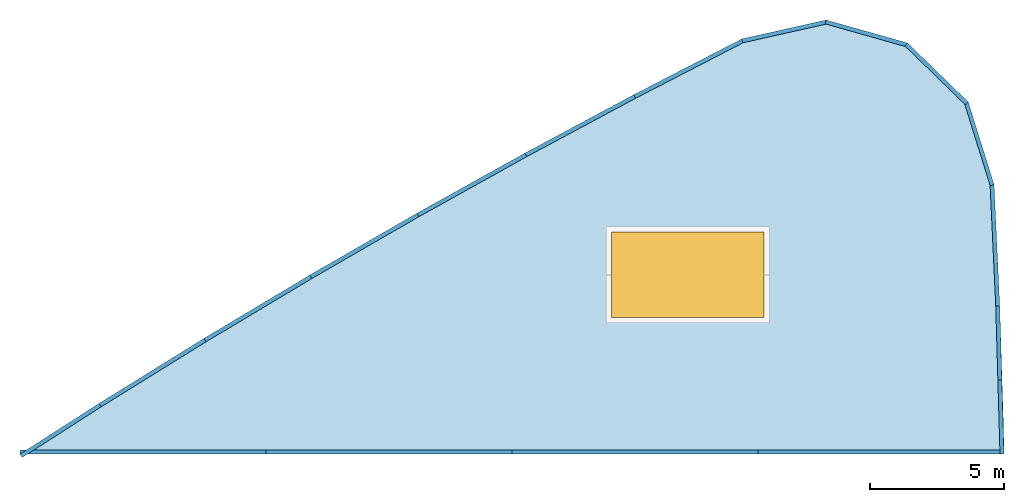
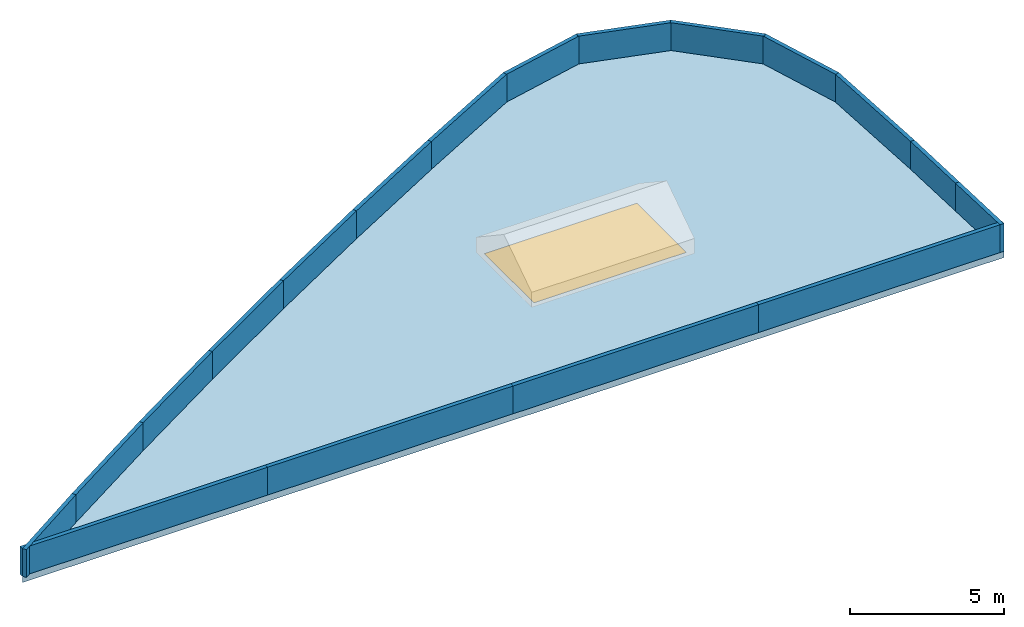
"""IFC4 building model written with IfcOpenShell, lengths in metres."""

from ifc_helpers import new_model, si_unit, direction, frame, frame_2d, origin, origin_2d, place, context, subcontext, project, spatial, polyline, rectangle, outline, extrude, material, layer, layer_set, type_object, element, fill, save


model = new_model("IFC4")

# Units and contexts
model_context = context("Model", 3, precision=1e-05, world=origin(), true_north=direction((0.0, 1.0)))
body_context = subcontext(model_context, "Body", "Model", "MODEL_VIEW")
ifc_project = project(units=[si_unit("LENGTHUNIT", "METRE"), si_unit("AREAUNIT", "SQUARE_METRE"), si_unit("VOLUMEUNIT", "CUBIC_METRE"), si_unit("PLANEANGLEUNIT", "RADIAN"), si_unit("MASSUNIT", "GRAM", prefix="KILO")], contexts=[model_context])

# Site, building, storey
site_placement = place(None, origin())
site = spatial("IfcSite", under=ifc_project, at=site_placement, CompositionType="ELEMENT")
building_placement = place(site_placement, origin())
building = spatial("IfcBuilding", under=site, at=building_placement, Name="Tamra Quay Hotel Tower", CompositionType="ELEMENT")
storey_1_placement = place(building_placement, frame((0.0, 0.0, 349.39990234375)))
storey_1 = spatial("IfcBuildingStorey", under=building, at=storey_1_placement, Name="Roof", CompositionType="ELEMENT", Elevation=349.39990234375)

# Slab, opening
ifc_material_1 = material(Name="Reinforced concrete M60", Category="concrete")
ifc_layer_1 = layer(ifc_material_1, 0.25)
ifc_layer_set_1 = layer_set([ifc_layer_1], Name="LANTERN ROOF SLAB 250")
slab_type = type_object("IfcSlabType", Name="LANTERN ROOF SLAB 250", PredefinedType="ROOF", material=ifc_layer_set_1)
slab_placement = place(storey_1_placement, frame((0.0, 0.0, -0.25)))
slab = element("IfcSlab", 1, at=slab_placement, inside=storey_1, type_object=slab_type, Name="Lantern A roof slab", PredefinedType="ROOF", context=body_context, shape_type="SweptSolid", body=[
    extrude(outline(polyline([(15.767822265625, 11.528564453125), (15.555419921875, 16.063720703125), (14.5908203125, 19.149169921875), (12.3271484375, 21.351318359375), (9.288330078125, 22.21044921875), (6.134033203125, 21.503173828125), (2.10009765625, 19.419677734375), (-1.96435546875, 17.239501953125), (-5.99462890625, 14.995849609375), (-9.989501953125, 12.689453125), (-13.947509765625, 10.321044921875), (-17.867919921875, 7.89111328125), (-20.815673828125, 6.0), (15.92626953125, 6.0), (15.912109375, 6.91845703125), (15.767822265625, 11.528564453125)])), origin(), (0.0, 0.0, 1.0), 0.25),
])
opening_placement = place(slab_placement, frame((4.1240234375, 12.697998046875, 0.0)))
opening = element("IfcOpeningElement", 2, at=opening_placement, cuts=slab, Name="Opening SK2-57", PredefinedType="OPENING", context=body_context, shape_type="SweptSolid", body=[
    extrude(rectangle(XDim=5.699951171875, YDim=3.199951171875, at=origin_2d()), origin(), (0.0, 0.0, 1.0), 0.25),
])

# Storey
storey_2_placement = place(building_placement, frame((0.0, 0.0, 338.60009765625)))
storey_2 = spatial("IfcBuildingStorey", under=building, at=storey_2_placement, Name="Roof crown 6", CompositionType="ELEMENT", Elevation=338.60009765625)

# Window
ifc_material_2 = material(Name="Laminated glass in aluminium frame", Category="aluminium")
window_type = type_object("IfcWindowType", Name="LANTERN ROOFLIGHT 5700X3200", PartitioningType="SINGLE_PANEL", PredefinedType="SKYLIGHT", material=ifc_material_2)
window_placement = place(opening_placement, frame((0.0, 0.0, 0.199951171875)))
window = element("IfcWindow", 3, at=window_placement, inside=storey_2, type_object=window_type, Name="SK2-57", OverallHeight=3.199951171875, OverallWidth=5.699951171875, PartitioningType="SINGLE_PANEL", PredefinedType="SKYLIGHT", context=body_context, shape_type="SweptSolid", body=[
    extrude(rectangle(XDim=5.699951171875, YDim=3.199951171875, at=origin_2d()), origin(), (0.0, 0.0, 1.0), 0.050048828125),
])

fill(opening, window)

# Walls
ifc_material_3 = material(Name="Reinforced concrete M60 with render", Category="concrete")
ifc_layer_2 = layer(ifc_material_3, 0.14990234375)
ifc_layer_set_2 = layer_set([ifc_layer_2], Name="PARAPET WALL 150")
wall_type = type_object("IfcWallType", Name="PARAPET WALL 150", PredefinedType="PARAPET", material=ifc_layer_set_2)
wall_1_placement = place(storey_1_placement, frame((15.48046875, 16.060302734375, 0.0), z_axis=(0.0, 0.0, 1.0), x_axis=(0.046780831378, -0.99890517759, 0.0)))
element("IfcWall", 4, at=wall_1_placement, inside=storey_1, type_object=wall_type, Name="PW0", PredefinedType="PARAPET", context=body_context, shape_type="SweptSolid", body=[
    extrude(rectangle(XDim=4.540283203125, YDim=0.14990234375, at=frame_2d((2.27001953125, 0.0))), origin(), (0.0, 0.0, 1.0), 1.10009765625),
])
wall_2_placement = place(storey_1_placement, frame((14.51904296875, 19.126708984375, 0.0), z_axis=(0.0, 0.0, 1.0), x_axis=(0.298408305293, -0.954438307767, 0.0)))
element("IfcWall", 5, at=wall_2_placement, inside=storey_1, type_object=wall_type, Name="PW0", PredefinedType="PARAPET", context=body_context, shape_type="SweptSolid", body=[
    extrude(rectangle(XDim=3.232421875, YDim=0.14990234375, at=frame_2d((1.6162109375, 0.0))), origin(), (0.0, 0.0, 1.0), 1.10009765625),
])
wall_3_placement = place(storey_1_placement, frame((12.27490234375, 21.297607421875, 0.0), z_axis=(0.0, 0.0, 1.0), x_axis=(0.716742640145, -0.697337786011, 0.0)))
element("IfcWall", 6, at=wall_3_placement, inside=storey_1, type_object=wall_type, Name="PW0", PredefinedType="PARAPET", context=body_context, shape_type="SweptSolid", body=[
    extrude(rectangle(XDim=3.157958984375, YDim=0.14990234375, at=frame_2d((1.5791015625, 0.0))), origin(), (0.0, 0.0, 1.0), 1.10009765625),
])
wall_4_placement = place(storey_1_placement, frame((9.267822265625, 22.138427734375, 0.0), z_axis=(0.0, 0.0, 1.0), x_axis=(0.962287409599, -0.272034816387, 0.0)))
element("IfcWall", 7, at=wall_4_placement, inside=storey_1, type_object=wall_type, Name="PW0", PredefinedType="PARAPET", context=body_context, shape_type="SweptSolid", body=[
    extrude(rectangle(XDim=3.158203125, YDim=0.14990234375, at=frame_2d((1.5791015625, 0.0))), origin(), (0.0, 0.0, 1.0), 1.10009765625),
])
wall_5_placement = place(storey_1_placement, frame((6.150390625, 21.429931640625, 0.0), z_axis=(0.0, 0.0, 1.0), x_axis=(0.975755106139, 0.218865193312, 0.0)))
element("IfcWall", 8, at=wall_5_placement, inside=storey_1, type_object=wall_type, Name="PW0", PredefinedType="PARAPET", context=body_context, shape_type="SweptSolid", body=[
    extrude(rectangle(XDim=3.232666015625, YDim=0.14990234375, at=frame_2d((1.6162109375, 0.0))), origin(), (0.0, 0.0, 1.0), 1.10009765625),
])
wall_6_placement = place(storey_1_placement, frame((2.134521484375, 19.35302734375, 0.0), z_axis=(0.0, 0.0, 1.0), x_axis=(0.888489126647, 0.458897670326, 0.0)))
element("IfcWall", 9, at=wall_6_placement, inside=storey_1, type_object=wall_type, Name="PW0", PredefinedType="PARAPET", context=body_context, shape_type="SweptSolid", body=[
    extrude(rectangle(XDim=4.540283203125, YDim=0.14990234375, at=frame_2d((2.27001953125, 0.0))), origin(), (0.0, 0.0, 1.0), 1.10009765625),
])
wall_7_placement = place(storey_1_placement, frame((-1.928955078125, 17.17333984375, 0.0), z_axis=(0.0, 0.0, 1.0), x_axis=(0.881228032768, 0.472691394319, 0.0)))
element("IfcWall", 10, at=wall_7_placement, inside=storey_1, type_object=wall_type, Name="PW0", PredefinedType="PARAPET", context=body_context, shape_type="SweptSolid", body=[
    extrude(rectangle(XDim=4.6123046875, YDim=0.14990234375, at=frame_2d((2.30615234375, 0.0))), origin(), (0.0, 0.0, 1.0), 1.10009765625),
])
wall_8_placement = place(storey_1_placement, frame((-5.958251953125, 14.93017578125, 0.0), z_axis=(0.0, 0.0, 1.0), x_axis=(0.873732521064, 0.486406703936, 0.0)))
element("IfcWall", 11, at=wall_8_placement, inside=storey_1, type_object=wall_type, Name="PW0", PredefinedType="PARAPET", context=body_context, shape_type="SweptSolid", body=[
    extrude(rectangle(XDim=4.61279296875, YDim=0.14990234375, at=frame_2d((2.306396484375, 0.0))), origin(), (0.0, 0.0, 1.0), 1.10009765625),
])
for number, where, z_axis, x_axis, name in (
    (12, (-9.951904296875, 12.62451171875, 0.0), (0.0, 0.0, 1.0), (0.866016353143, 0.500015675843, 0.0), "PW0"),
    (13, (-13.908935546875, 10.256591796875, 0.0), (0.0, 0.0, 1.0), (0.858104130082, 0.51347570725, 0.0), "PW0"),
):
    element("IfcWall", number, at=place(storey_1_placement, frame(where, z_axis=z_axis, x_axis=x_axis)), inside=storey_1, type_object=wall_type, Name=name, PredefinedType="PARAPET", context=body_context, shape_type="SweptSolid", body=[
        extrude(rectangle(XDim=4.612548828125, YDim=0.14990234375, at=frame_2d((2.30615234375, 0.0))), origin(), (0.0, 0.0, 1.0), 1.10009765625),
    ])
wall_9_placement = place(storey_1_placement, frame((-17.828369140625, 7.827392578125, 0.0), z_axis=(0.0, 0.0, 1.0), x_axis=(0.849972851582, 0.526826490957, 0.0)))
element("IfcWall", 14, at=wall_9_placement, inside=storey_1, type_object=wall_type, Name="PW0", PredefinedType="PARAPET", context=body_context, shape_type="SweptSolid", body=[
    extrude(rectangle(XDim=4.6123046875, YDim=0.14990234375, at=frame_2d((2.30615234375, 0.0))), origin(), (0.0, 0.0, 1.0), 1.10009765625),
])
wall_10_placement = place(storey_1_placement, frame((-20.775146484375, 5.936767578125, 0.0), z_axis=(0.0, 0.0, 1.0), x_axis=(0.841649248516, 0.540024575804, 0.0)))
element("IfcWall", 15, at=wall_10_placement, inside=storey_1, type_object=wall_type, Name="PW0", PredefinedType="PARAPET", context=body_context, shape_type="SweptSolid", body=[
    extrude(rectangle(XDim=3.50244140625, YDim=0.14990234375, at=frame_2d((1.751220703125, 0.0))), origin(), (0.0, 0.0, 1.0), 1.10009765625),
])
for number, where, z_axis, x_axis, name in (
    (16, (-11.630126953125, 6.074951171875, 0.0), (0.0, 0.0, 1.0), (-1.0, 0.0, 0.0), "PW0"),
    (17, (-2.444580078125, 6.074951171875, 0.0), (0.0, 0.0, 1.0), (-1.0, 0.0, 0.0), "PW0"),
    (18, (6.740966796875, 6.074951171875, 0.0), (0.0, 0.0, 1.0), (-1.0, 0.0, 0.0), "PW0"),
):
    element("IfcWall", number, at=place(storey_1_placement, frame(where, z_axis=z_axis, x_axis=x_axis)), inside=storey_1, type_object=wall_type, Name=name, PredefinedType="PARAPET", context=body_context, shape_type="SweptSolid", body=[
        extrude(rectangle(XDim=9.185546875, YDim=0.14990234375, at=frame_2d((4.5927734375, 0.0))), origin(), (0.0, 0.0, 1.0), 1.10009765625),
    ])
wall_11_placement = place(storey_1_placement, frame((15.92626953125, 6.074951171875, 0.0), z_axis=(0.0, 0.0, 1.0), x_axis=(-1.0, 0.0, 0.0)))
element("IfcWall", 19, at=wall_11_placement, inside=storey_1, type_object=wall_type, Name="PW0", PredefinedType="PARAPET", context=body_context, shape_type="SweptSolid", body=[
    extrude(rectangle(XDim=9.185302734375, YDim=0.14990234375, at=frame_2d((4.5927734375, 0.0))), origin(), (0.0, 0.0, 1.0), 1.10009765625),
])
wall_12_placement = place(storey_1_placement, frame((15.772216796875, 8.76220703125, 0.0), z_axis=(0.0, 0.0, 1.0), x_axis=(0.028602617602, -0.999590861436, 0.0)))
element("IfcWall", 20, at=wall_12_placement, inside=storey_1, type_object=wall_type, Name="PW0", PredefinedType="PARAPET", context=body_context, shape_type="SweptSolid", body=[
    extrude(rectangle(XDim=2.765625, YDim=0.14990234375, at=frame_2d((1.3828125, 0.0))), origin(), (0.0, 0.0, 1.0), 1.10009765625),
])
wall_13_placement = place(storey_1_placement, frame((15.69287109375, 11.5263671875, 0.0), z_axis=(0.0, 0.0, 1.0), x_axis=(0.02869335672, -0.999588260876, 0.0)))
element("IfcWall", 21, at=wall_13_placement, inside=storey_1, type_object=wall_type, Name="PW0", PredefinedType="PARAPET", context=body_context, shape_type="SweptSolid", body=[
    extrude(rectangle(XDim=2.765380859375, YDim=0.14990234375, at=frame_2d((1.3828125, 0.0))), origin(), (0.0, 0.0, 1.0), 1.10009765625),
])

save(model, "model.ifc")
